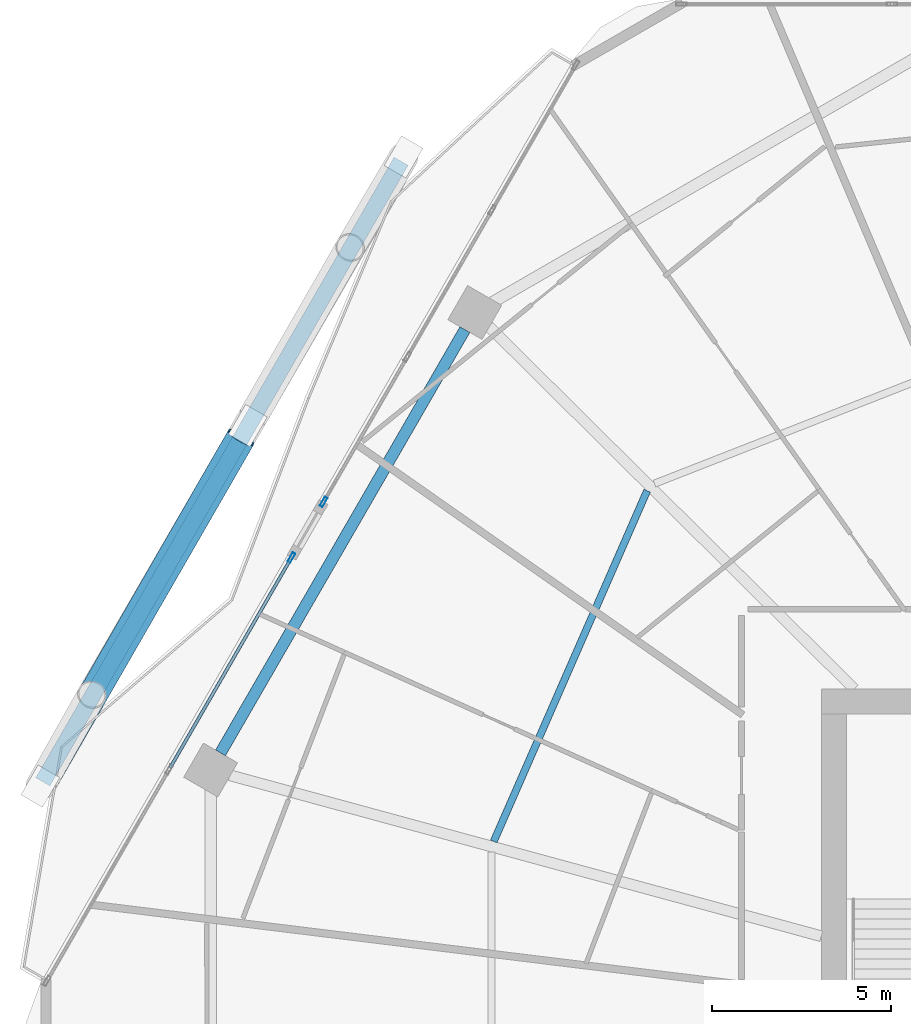
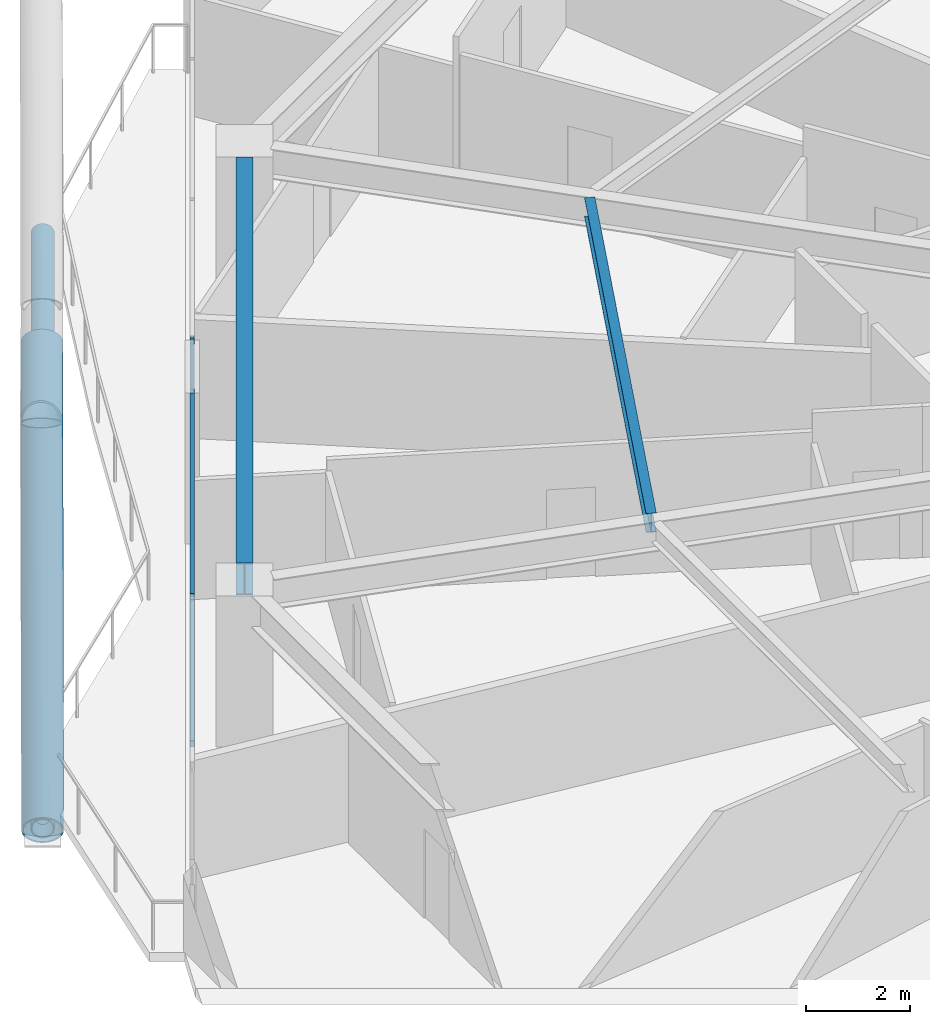
# One storey, part 16 of 36: 6 members, 2 beams, 2 elements without a shape of their own.
"""IFC4 building model written with IfcOpenShell, lengths in metres."""

from ifc_helpers import new_model, si_unit, direction, frame, origin, origin_2d, place, context, subcontext, project, spatial, hollow_rectangle, hollow_circle, i_section, extrude, material, material_profile, profile_set, type_object, element, aggregate, save


model = new_model("IFC4")

# Units and contexts
model_context = context("Model", 3, precision=1e-05, world=origin(), true_north=direction((0.0, 1.0)))
body_context = subcontext(model_context, "Body", "Model", "MODEL_VIEW")
ifc_project = project(units=[si_unit("LENGTHUNIT", "METRE"), si_unit("AREAUNIT", "SQUARE_METRE"), si_unit("VOLUMEUNIT", "CUBIC_METRE"), si_unit("PLANEANGLEUNIT", "RADIAN"), si_unit("MASSUNIT", "GRAM", prefix="KILO")], contexts=[model_context])

# Site, building, storey
site_placement = place(None, origin())
site = spatial("IfcSite", under=ifc_project, at=site_placement, CompositionType="ELEMENT")
building_placement = place(site_placement, origin())
building = spatial("IfcBuilding", under=site, at=building_placement, Name="Zuhravey Tower", CompositionType="ELEMENT")
storey_placement = place(building_placement, frame((0.0, 0.0, 107.60009765625)))
storey = spatial("IfcBuildingStorey", under=building, at=storey_placement, Name="L26", CompositionType="ELEMENT", Elevation=107.60009765625)

# Curtain wall, member
ifc_material_1 = material(Name="Thermally broken anodised aluminium", Category="aluminium")
curtain_wall_type = type_object("IfcCurtainWallType", Name="Zone 1-2 Residential Curtain Wall CW3", PredefinedType="NOTDEFINED", material=ifc_material_1)
curtain_wall_1_placement = place(storey_placement, origin())
curtain_wall_1 = element("IfcCurtainWall", 1, at=curtain_wall_1_placement, inside=storey, type_object=curtain_wall_type, Name="L26 CW3 CW-L26-F3-1", PredefinedType="NOTDEFINED")
ifc_material_2 = material(Name="Anodised aluminium", Category="aluminium")
ifc_material_profile_1 = material_profile(ifc_material_2, hollow_rectangle(XDim=0.090087890625, YDim=0.284912109375, WallThickness=0.0048828125, at=origin_2d()), Name="ALU-RHS-90x285x5")
ifc_profile_set_1 = profile_set([ifc_material_profile_1], Name="Anodised aluminium")
member_type_1 = type_object("IfcMemberType", Name="Curtain-Wall Mullion 90x180", PredefinedType="MULLION", material=ifc_profile_set_1)
member_1_placement = place(storey_placement, frame((10.366943359375, 45.51904296875, 0.0), z_axis=(0.0, 0.0, 1.0), x_axis=(-0.86602628212, 0.499998478675, 0.0)))
member_1 = element("IfcMember", 2, at=member_1_placement, type_object=member_type_1, Name="CW3 mullion 3", PredefinedType="MULLION", context=body_context, shape_type="SweptSolid", body=[
    extrude(hollow_rectangle(XDim=0.090087890625, YDim=0.284912109375, WallThickness=0.0048828125, at=origin_2d()), origin(), (0.0, 0.0, 1.0), 3.5498046875),
])

curtain_wall_2_placement = place(storey_placement, origin())
curtain_wall_2 = element("IfcCurtainWall", 3, at=curtain_wall_2_placement, inside=storey, type_object=curtain_wall_type, Name="L26 CW3 CW-L26-F3-2", PredefinedType="NOTDEFINED")
member_2_placement = place(storey_placement, frame((11.261962890625, 47.0693359375, 0.0), z_axis=(0.0, 0.0, 1.0), x_axis=(-0.866023797519, 0.500002782124, 0.0)))
member_2 = element("IfcMember", 4, at=member_2_placement, type_object=member_type_1, Name="CW3 mullion 1", PredefinedType="MULLION", context=body_context, shape_type="SweptSolid", body=[
    extrude(hollow_rectangle(XDim=0.090087890625, YDim=0.284912109375, WallThickness=0.0048828125, at=origin_2d()), origin(), (0.0, 0.0, 1.0), 3.5498046875),
])
aggregate(curtain_wall_2, [member_2])

# Member
ifc_material_profile_2 = material_profile(ifc_material_2, hollow_rectangle(XDim=0.090087890625, YDim=0.14990234375, WallThickness=0.0048828125, at=origin_2d()), Name="ALU-RHS-90x150x5")
ifc_profile_set_2 = profile_set([ifc_material_profile_2], Name="Anodised aluminium")
member_type_2 = type_object("IfcMemberType", Name="Curtain-Wall Transom 90x150", PredefinedType="USERDEFINED", material=ifc_profile_set_2)
member_3_placement = place(storey_placement, frame((6.97802734375, 39.649169921875, 0.044921875), z_axis=(0.499988201987, 0.866032215263, 0.0), x_axis=(-0.866032215263, 0.499988201987, 0.0)))
member_3 = element("IfcMember", 5, at=member_3_placement, type_object=member_type_2, Name="CW3 transom 2.1", ObjectType="TRANSOM", PredefinedType="USERDEFINED", context=body_context, shape_type="SweptSolid", body=[
    extrude(hollow_rectangle(XDim=0.090087890625, YDim=0.14990234375, WallThickness=0.0048828125, at=origin_2d()), origin(), (0.0, 0.0, 1.0), 6.733154296875),
])

member_4_placement = place(storey_placement, frame((6.97802734375, 39.649169921875, 3.5048828125), z_axis=(0.499988201987, 0.866032215263, 0.0), x_axis=(-0.866032215263, 0.499988201987, 0.0)))
member_4 = element("IfcMember", 6, at=member_4_placement, type_object=member_type_2, Name="CW3 transom 2.2", ObjectType="TRANSOM", PredefinedType="USERDEFINED", context=body_context, shape_type="SweptSolid", body=[
    extrude(hollow_rectangle(XDim=0.090087890625, YDim=0.14990234375, WallThickness=0.0048828125, at=origin_2d()), origin(), (0.0, 0.0, 1.0), 6.733154296875),
])

aggregate(curtain_wall_1, [member_1, member_3, member_4])

# Members
ifc_material_3 = material(Name="Steel SM355", Category="steel")
ifc_material_profile_3 = material_profile(ifc_material_3, hollow_circle(Radius=0.228515625, WallThickness=0.02197265625, at=origin_2d()), Name="CHS-457.2x22")
ifc_profile_set_3 = profile_set([ifc_material_profile_3], Name="Steel SM355")
member_type_3 = type_object("IfcMemberType", Name="Exoskeleton Ring Tie CHS457x22", PredefinedType="CHORD", material=ifc_profile_set_3)
member_5_placement = place(storey_placement, frame((13.425537109375, 56.57666015625, -0.464111328125), z_axis=(-0.500001503855, -0.866024535532, 0.0), x_axis=(0.866024535532, -0.500001503855, 0.0)))
element("IfcMember", 7, at=member_5_placement, inside=storey, type_object=member_type_3, Name="L26 Exoskeleton Face 3 Tie EXR1", PredefinedType="CHORD", context=body_context, shape_type="SweptSolid", body=[
    extrude(hollow_circle(Radius=0.228515625, WallThickness=0.02197265625, at=origin_2d()), origin(), (0.0, 0.0, 1.0), 19.99365234375),
])
ifc_material_4 = material(Name="Steel SM460", Category="steel")
ifc_material_profile_4 = material_profile(ifc_material_4, hollow_circle(Radius=0.406494140625, WallThickness=0.035888671875, at=origin_2d()), Name="CHS-812.8x36")
ifc_profile_set_4 = profile_set([ifc_material_profile_4], Name="Steel SM460")
member_type_4 = type_object("IfcMemberType", Name="Exoskeleton Zone 1 Diagrid CHS813x36", PredefinedType="BRACE", material=ifc_profile_set_4)
member_6_placement = place(storey_placement, frame((3.384765625, 39.185546875, -0.447021484375), z_axis=(0.474116728479, 0.823664703485, 0.311110565571), x_axis=(-0.866674532719, 0.498873986429, 0.0)))
element("IfcMember", 8, at=member_6_placement, inside=storey, type_object=member_type_4, Name="L26 Face 3 Split Diagrid Brace 3A", PredefinedType="BRACE", context=body_context, shape_type="SweptSolid", body=[
    extrude(hollow_circle(Radius=0.406494140625, WallThickness=0.035888671875, at=origin_2d()), origin(), (0.0, 0.0, 1.0), 11.76318359375),
])

# Beams
ifc_material_profile_5 = material_profile(ifc_material_3, i_section(OverallWidth=0.320068359375, OverallDepth=0.75, WebThickness=0.013916015625, FlangeThickness=0.02490234375, at=origin_2d()), Name="H-750x320x14x25")
ifc_profile_set_5 = profile_set([ifc_material_profile_5], Name="Steel SM355")
beam_type_1 = type_object("IfcBeamType", Name="Perimeter Ring Beam H750x320", PredefinedType="BEAM", material=ifc_profile_set_5)
beam_1_placement = place(storey_placement, frame((15.20458984375, 51.8779296875, 3.1748046875), z_axis=(-0.500008177929, -0.866020682204, 0.0), x_axis=(0.866020682204, -0.500008177929, 0.0)))
element("IfcBeam", 9, at=beam_1_placement, inside=storey, type_object=beam_type_1, Name="L26 PB1 BM-L26-PB-05", PredefinedType="BEAM", context=body_context, shape_type="SweptSolid", body=[
    extrude(i_section(OverallWidth=0.320068359375, OverallDepth=0.75, WebThickness=0.013916015625, FlangeThickness=0.02490234375, at=origin_2d()), origin(), (0.0, 0.0, 1.0), 13.634033203125),
])
ifc_material_profile_6 = material_profile(ifc_material_3, i_section(OverallWidth=0.199951171875, OverallDepth=0.449951171875, WebThickness=0.009033203125, FlangeThickness=0.013916015625, at=origin_2d()), Name="H-450x200x9x14")
ifc_profile_set_6 = profile_set([ifc_material_profile_6], Name="Steel SM355")
beam_type_2 = type_object("IfcBeamType", Name="Secondary Floor Joist H450x200", PredefinedType="JOIST", material=ifc_profile_set_6)
beam_2_placement = place(storey_placement, frame((20.28955078125, 47.384033203125, 3.324951171875), z_axis=(-0.400786454617, -0.916171500209, 0.0), x_axis=(0.916171500209, -0.400786454617, 0.0)))
element("IfcBeam", 10, at=beam_2_placement, inside=storey, type_object=beam_type_2, Name="L26 SJ1 BM-L26-SJ-05-1", PredefinedType="JOIST", context=body_context, shape_type="SweptSolid", body=[
    extrude(i_section(OverallWidth=0.199951171875, OverallDepth=0.449951171875, WebThickness=0.009033203125, FlangeThickness=0.013916015625, at=origin_2d()), origin(), (0.0, 0.0, 1.0), 10.6796875),
])

save(model, "model.ifc")
